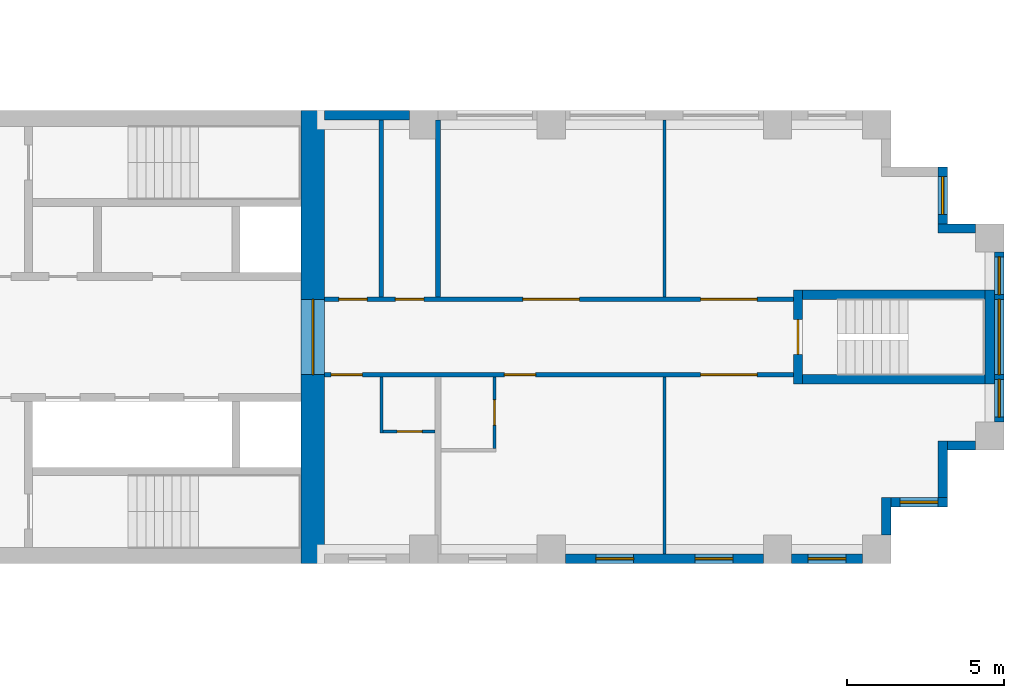
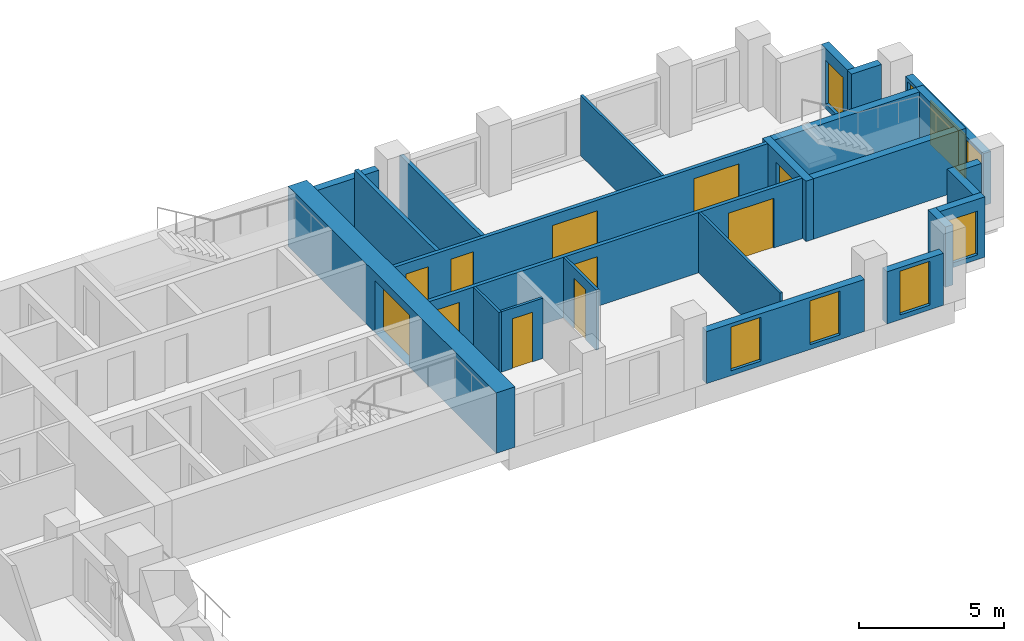
# One storey, part 10 of 13: 24 walls, 11 doors, 8 windows, 19 openings.
"""IFC4 building model written with IfcOpenShell, lengths in metres."""

from ifc_helpers import new_model, si_unit, direction, frame, frame_2d, origin, place, context, subcontext, project, spatial, rectangle, extrude, material, layer, layer_set, type_object, element, fill, save


model = new_model("IFC4")

# Units and contexts
model_context = context("Model", 3, precision=1e-05, world=origin(), true_north=direction((0.0, 1.0)))
body_context = subcontext(model_context, "Body", "Model", "MODEL_VIEW")
ifc_project = project(units=[si_unit("LENGTHUNIT", "METRE"), si_unit("AREAUNIT", "SQUARE_METRE"), si_unit("VOLUMEUNIT", "CUBIC_METRE"), si_unit("PLANEANGLEUNIT", "RADIAN"), si_unit("MASSUNIT", "GRAM", prefix="KILO")], contexts=[model_context])

# Site, building, storey
site_placement = place(None, origin())
site = spatial("IfcSite", under=ifc_project, at=site_placement, CompositionType="ELEMENT")
building_placement = place(site_placement, origin())
building = spatial("IfcBuilding", under=site, at=building_placement, Name="Fustian Cross Tower", CompositionType="ELEMENT")
storey_placement = place(building_placement, frame((0.0, 0.0, 108.89990234375)))
storey = spatial("IfcBuildingStorey", under=building, at=storey_placement, Name="L34", CompositionType="ELEMENT", Elevation=108.89990234375)

# Wall, openings, doors
ifc_material_1 = material(Name="Plasterboard on steel stud", Category="steel")
ifc_layer_1 = layer(ifc_material_1, 0.14990234375)
ifc_layer_set_1 = layer_set([ifc_layer_1], Name="Plasterboard on steel stud")
wall_type_1 = type_object("IfcWallType", Name="COMPARTMENT WALL 150 EI 60", PredefinedType="PARTITIONING", material=ifc_layer_set_1)
wall_1_placement = place(storey_placement, frame((21.60009765625, -1.199951171875, 0.0), z_axis=(0.0, 0.0, 1.0), x_axis=(1.0, 0.0, 0.0)))
wall_1 = element("IfcWall", 1, at=wall_1_placement, inside=storey, type_object=wall_type_1, Name="Partition 70", PredefinedType="PARTITIONING", context=body_context, shape_type="SweptSolid", body=[
    extrude(rectangle(XDim=14.89990234375, YDim=0.14990234375, at=frame_2d((7.449951171875, 0.0))), origin(), (0.0, 0.0, 1.0), 2.550048828125),
])
opening_1_placement = place(wall_1_placement, frame((0.199951171875, 0.0, 0.0)))
opening_1 = element("IfcOpeningElement", 2, at=opening_1_placement, cuts=wall_1, Name="Opening D15016", PredefinedType="OPENING", context=body_context, shape_type="SweptSolid", body=[
    extrude(rectangle(XDim=1.0, YDim=2.10009765625, at=frame_2d((0.5, 1.050048828125))), frame((0.0, 0.0849609375, 0.0), z_axis=(0.0, -1.0, 0.0), x_axis=(1.0, 0.0, 0.0)), (0.0, 0.0, 1.0), 0.169921875),
])
opening_2_placement = place(wall_1_placement, frame((5.7099609375, 0.0, 0.0)))
opening_2 = element("IfcOpeningElement", 3, at=opening_2_placement, cuts=wall_1, Name="Opening D15018", PredefinedType="OPENING", context=body_context, shape_type="SweptSolid", body=[
    extrude(rectangle(XDim=1.0, YDim=2.10009765625, at=frame_2d((0.5, 1.050048828125))), frame((0.0, 0.0849609375, 0.0), z_axis=(0.0, -1.0, 0.0), x_axis=(1.0, 0.0, 0.0)), (0.0, 0.0, 1.0), 0.169921875),
])
opening_3_placement = place(wall_1_placement, frame((11.949951171875, 0.0, 0.0)))
opening_3 = element("IfcOpeningElement", 4, at=opening_3_placement, cuts=wall_1, Name="Opening D15019", PredefinedType="OPENING", context=body_context, shape_type="SweptSolid", body=[
    extrude(rectangle(XDim=1.800048828125, YDim=2.10009765625, at=frame_2d((0.89990234375, 1.050048828125))), frame((0.0, 0.0849609375, 0.0), z_axis=(0.0, -1.0, 0.0), x_axis=(1.0, 0.0, 0.0)), (0.0, 0.0, 1.0), 0.169921875),
])
ifc_material_2 = material(Name="Timber fire door set", Category="wood")
door_type_1 = type_object("IfcDoorType", Name="FIRE DOUBLE DOOR 1800 FD30S", OperationType="DOUBLE_DOOR_DOUBLE_SWING", PredefinedType="DOOR", material=ifc_material_2)
door_1_placement = place(opening_3_placement, origin())
door_1 = element("IfcDoor", 5, at=door_1_placement, inside=storey, type_object=door_type_1, Name="Door D15019", OperationType="DOUBLE_DOOR_DOUBLE_SWING", OverallHeight=2.10009765625, OverallWidth=1.800048828125, PredefinedType="DOOR", context=body_context, shape_type="SweptSolid", body=[
    extrude(rectangle(XDim=1.800048828125, YDim=2.10009765625, at=frame_2d((0.89990234375, 1.050048828125))), frame((0.0, 0.02490234375, 0.0), z_axis=(0.0, -1.0, 0.0), x_axis=(1.0, 0.0, 0.0)), (0.0, 0.0, 1.0), 0.050048828125),
])
fill(opening_3, door_1)
ifc_material_3 = material(Name="Timber fire door set", Category="wood")
door_type_2 = type_object("IfcDoorType", Name="FIRE SWING DOOR 1000 FD30S", OperationType="SINGLE_SWING_LEFT", PredefinedType="DOOR", material=ifc_material_3)
door_2_placement = place(opening_1_placement, frame((1.0, 0.0, 0.0), z_axis=(0.0, 0.0, 1.0), x_axis=(-1.0, 0.0, 0.0)))
door_2 = element("IfcDoor", 6, at=door_2_placement, inside=storey, type_object=door_type_2, Name="Door D15016", OperationType="SINGLE_SWING_RIGHT", OverallHeight=2.10009765625, OverallWidth=1.0, PredefinedType="DOOR", context=body_context, shape_type="SweptSolid", body=[
    extrude(rectangle(XDim=1.0, YDim=2.10009765625, at=frame_2d((0.5, 1.050048828125))), frame((0.0, 0.02490234375, 0.0), z_axis=(0.0, -1.0, 0.0), x_axis=(1.0, 0.0, 0.0)), (0.0, 0.0, 1.0), 0.050048828125),
])
fill(opening_1, door_2)
door_3_placement = place(opening_2_placement, frame((1.0, 0.0, 0.0), z_axis=(0.0, 0.0, 1.0), x_axis=(-1.0, 0.0, 0.0)))
door_3 = element("IfcDoor", 7, at=door_3_placement, inside=storey, type_object=door_type_2, Name="Door D15018", OperationType="SINGLE_SWING_RIGHT", OverallHeight=2.10009765625, OverallWidth=1.0, PredefinedType="DOOR", context=body_context, shape_type="SweptSolid", body=[
    extrude(rectangle(XDim=1.0, YDim=2.10009765625, at=frame_2d((0.5, 1.050048828125))), frame((0.0, 0.02490234375, 0.0), z_axis=(0.0, -1.0, 0.0), x_axis=(1.0, 0.0, 0.0)), (0.0, 0.0, 1.0), 0.050048828125),
])
fill(opening_2, door_3)

wall_2_placement = place(storey_placement, frame((21.60009765625, 1.199951171875, 0.0), z_axis=(0.0, 0.0, 1.0), x_axis=(1.0, 0.0, 0.0)))
wall_2 = element("IfcWall", 8, at=wall_2_placement, inside=storey, type_object=wall_type_1, Name="Partition 71", PredefinedType="PARTITIONING", context=body_context, shape_type="SweptSolid", body=[
    extrude(rectangle(XDim=14.89990234375, YDim=0.14990234375, at=frame_2d((7.449951171875, 0.0))), origin(), (0.0, 0.0, 1.0), 2.550048828125),
])
opening_4_placement = place(wall_2_placement, frame((0.449951171875, 0.0, 0.0)))
opening_4 = element("IfcOpeningElement", 9, at=opening_4_placement, cuts=wall_2, Name="Opening D15011", PredefinedType="OPENING", context=body_context, shape_type="SweptSolid", body=[
    extrude(rectangle(XDim=0.89990234375, YDim=2.10009765625, at=frame_2d((0.449951171875, 1.050048828125))), frame((0.0, 0.0849609375, 0.0), z_axis=(0.0, -1.0, 0.0), x_axis=(1.0, 0.0, 0.0)), (0.0, 0.0, 1.0), 0.169921875),
])
opening_5_placement = place(wall_2_placement, frame((2.25, 0.0, 0.0)))
opening_5 = element("IfcOpeningElement", 10, at=opening_5_placement, cuts=wall_2, Name="Opening D15012", PredefinedType="OPENING", context=body_context, shape_type="SweptSolid", body=[
    extrude(rectangle(XDim=0.89990234375, YDim=2.10009765625, at=frame_2d((0.449951171875, 1.050048828125))), frame((0.0, 0.0849609375, 0.0), z_axis=(0.0, -1.0, 0.0), x_axis=(1.0, 0.0, 0.0)), (0.0, 0.0, 1.0), 0.169921875),
])
opening_6_placement = place(wall_2_placement, frame((6.300048828125, 0.0, 0.0)))
opening_6 = element("IfcOpeningElement", 11, at=opening_6_placement, cuts=wall_2, Name="Opening D15013", PredefinedType="OPENING", context=body_context, shape_type="SweptSolid", body=[
    extrude(rectangle(XDim=1.800048828125, YDim=2.10009765625, at=frame_2d((0.89990234375, 1.050048828125))), frame((0.0, 0.0849609375, 0.0), z_axis=(0.0, -1.0, 0.0), x_axis=(1.0, 0.0, 0.0)), (0.0, 0.0, 1.0), 0.169921875),
])
opening_7_placement = place(wall_2_placement, frame((11.949951171875, 0.0, 0.0)))
opening_7 = element("IfcOpeningElement", 12, at=opening_7_placement, cuts=wall_2, Name="Opening D15014", PredefinedType="OPENING", context=body_context, shape_type="SweptSolid", body=[
    extrude(rectangle(XDim=1.800048828125, YDim=2.10009765625, at=frame_2d((0.89990234375, 1.050048828125))), frame((0.0, 0.0849609375, 0.0), z_axis=(0.0, -1.0, 0.0), x_axis=(1.0, 0.0, 0.0)), (0.0, 0.0, 1.0), 0.169921875),
])
door_4_placement = place(opening_6_placement, frame((1.800048828125, 0.0, 0.0), z_axis=(0.0, 0.0, 1.0), x_axis=(-1.0, 0.0, 0.0)))
door_4 = element("IfcDoor", 13, at=door_4_placement, inside=storey, type_object=door_type_1, Name="Door D15013", OperationType="DOUBLE_DOOR_DOUBLE_SWING", OverallHeight=2.10009765625, OverallWidth=1.800048828125, PredefinedType="DOOR", context=body_context, shape_type="SweptSolid", body=[
    extrude(rectangle(XDim=1.800048828125, YDim=2.10009765625, at=frame_2d((0.89990234375, 1.050048828125))), frame((0.0, 0.02490234375, 0.0), z_axis=(0.0, -1.0, 0.0), x_axis=(1.0, 0.0, 0.0)), (0.0, 0.0, 1.0), 0.050048828125),
])
fill(opening_6, door_4)
door_5_placement = place(opening_7_placement, frame((1.800048828125, 0.0, 0.0), z_axis=(0.0, 0.0, 1.0), x_axis=(-1.0, 0.0, 0.0)))
door_5 = element("IfcDoor", 14, at=door_5_placement, inside=storey, type_object=door_type_1, Name="Door D15014", OperationType="DOUBLE_DOOR_DOUBLE_SWING", OverallHeight=2.10009765625, OverallWidth=1.800048828125, PredefinedType="DOOR", context=body_context, shape_type="SweptSolid", body=[
    extrude(rectangle(XDim=1.800048828125, YDim=2.10009765625, at=frame_2d((0.89990234375, 1.050048828125))), frame((0.0, 0.02490234375, 0.0), z_axis=(0.0, -1.0, 0.0), x_axis=(1.0, 0.0, 0.0)), (0.0, 0.0, 1.0), 0.050048828125),
])
fill(opening_7, door_5)
ifc_material_4 = material(Name="Timber fire door set", Category="wood")
door_type_3 = type_object("IfcDoorType", Name="FIRE SWING DOOR 900 FD30S", OperationType="SINGLE_SWING_LEFT", PredefinedType="DOOR", material=ifc_material_4)
door_6_placement = place(opening_4_placement, origin())
door_6 = element("IfcDoor", 15, at=door_6_placement, inside=storey, type_object=door_type_3, Name="Door D15011", OperationType="SINGLE_SWING_RIGHT", OverallHeight=2.10009765625, OverallWidth=0.89990234375, PredefinedType="DOOR", context=body_context, shape_type="SweptSolid", body=[
    extrude(rectangle(XDim=0.89990234375, YDim=2.10009765625, at=frame_2d((0.449951171875, 1.050048828125))), frame((0.0, 0.02490234375, 0.0), z_axis=(0.0, -1.0, 0.0), x_axis=(1.0, 0.0, 0.0)), (0.0, 0.0, 1.0), 0.050048828125),
])
fill(opening_4, door_6)
door_7_placement = place(opening_5_placement, origin())
door_7 = element("IfcDoor", 16, at=door_7_placement, inside=storey, type_object=door_type_3, Name="Door D15012", OperationType="SINGLE_SWING_RIGHT", OverallHeight=2.10009765625, OverallWidth=0.89990234375, PredefinedType="DOOR", context=body_context, shape_type="SweptSolid", body=[
    extrude(rectangle(XDim=0.89990234375, YDim=2.10009765625, at=frame_2d((0.449951171875, 1.050048828125))), frame((0.0, 0.02490234375, 0.0), z_axis=(0.0, -1.0, 0.0), x_axis=(1.0, 0.0, 0.0)), (0.0, 0.0, 1.0), 0.050048828125),
])
fill(opening_5, door_7)

# Walls
for number, where, z_axis, x_axis, name in (
    (17, (23.39990234375, 1.27490234375, 0.0), (0.0, 0.0, 1.0), (0.0, 1.0, 0.0), "Partition 74"),
    (18, (25.199951171875, 1.27490234375, 0.0), (0.0, 0.0, 1.0), (0.0, 1.0, 0.0), "Partition 77"),
):
    element("IfcWall", number, at=place(storey_placement, frame(where, z_axis=z_axis, x_axis=x_axis)), inside=storey, type_object=wall_type_1, Name=name, PredefinedType="PARTITIONING", context=body_context, shape_type="SweptSolid", body=[
        extrude(rectangle(XDim=5.625, YDim=0.14990234375, at=frame_2d((2.8125, 0.0))), origin(), (0.0, 0.0, 1.0), 2.550048828125),
    ])

# Wall, opening, door
ifc_material_5 = material(Name="Concrete C70/85", Category="concrete")
ifc_layer_2 = layer(ifc_material_5, 0.75)
ifc_layer_set_2 = layer_set([ifc_layer_2], Name="Concrete C70/85")
wall_type_2 = type_object("IfcWallType", Name="CORE END WALL 750 C70/85", PredefinedType="SHEAR", material=ifc_layer_set_2)
wall_3_placement = place(storey_placement, frame((21.22509765625, -7.199951171875, 0.0), z_axis=(0.0, 0.0, 1.0), x_axis=(0.0, 1.0, 0.0)))
wall_3 = element("IfcWall", 19, at=wall_3_placement, inside=storey, type_object=wall_type_2, Name="Core end wall", PredefinedType="SHEAR", context=body_context, shape_type="SweptSolid", body=[
    extrude(rectangle(XDim=14.39990234375, YDim=0.75, at=frame_2d((7.199951171875, 0.0))), origin(), (0.0, 0.0, 1.0), 2.550048828125),
])
opening_8_placement = place(wall_3_placement, frame((6.0, 0.0, 0.0)))
opening_8 = element("IfcOpeningElement", 20, at=opening_8_placement, cuts=wall_3, Name="Opening CD-12-13", PredefinedType="OPENING", context=body_context, shape_type="SweptSolid", body=[
    extrude(rectangle(XDim=2.39990234375, YDim=2.199951171875, at=frame_2d((1.199951171875, 1.10009765625))), frame((0.0, 0.385009765625, 0.0), z_axis=(0.0, -1.0, 0.0), x_axis=(1.0, 0.0, 0.0)), (0.0, 0.0, 1.0), 0.77001953125),
])
ifc_material_6 = material(Name="Steel", Category="steel")
door_type_4 = type_object("IfcDoorType", Name="FIRE DOOR FD30S DOUBLE 2400X2200", OperationType="DOUBLE_DOOR_DOUBLE_SWING", PredefinedType="DOOR", material=ifc_material_6)
door_8_placement = place(opening_8_placement, origin())
door_8 = element("IfcDoor", 21, at=door_8_placement, inside=storey, type_object=door_type_4, Name="Core door CD-12-13", OperationType="DOUBLE_DOOR_DOUBLE_SWING", OverallHeight=2.199951171875, OverallWidth=2.39990234375, PredefinedType="DOOR", context=body_context, shape_type="SweptSolid", body=[
    extrude(rectangle(XDim=2.39990234375, YDim=2.199951171875, at=frame_2d((1.199951171875, 1.10009765625))), frame((0.0, 0.02490234375, 0.0), z_axis=(0.0, -1.0, 0.0), x_axis=(1.0, 0.0, 0.0)), (0.0, 0.0, 1.0), 0.050048828125),
])
fill(opening_8, door_8)

# Wall
ifc_material_7 = material(Name="Plasterboard on steel stud", Category="steel")
ifc_layer_3 = layer(ifc_material_7, 0.10009765625)
ifc_layer_set_3 = layer_set([ifc_layer_3], Name="Plasterboard on steel stud")
wall_type_3 = type_object("IfcWallType", Name="PARTITION 100 STUD", PredefinedType="PARTITIONING", material=ifc_layer_set_3)
wall_4_placement = place(storey_placement, frame((23.39990234375, -3.050048828125, 0.0), z_axis=(0.0, 0.0, 1.0), x_axis=(0.0, 1.0, 0.0)))
element("IfcWall", 22, at=wall_4_placement, inside=storey, type_object=wall_type_3, Name="Partition 72", PredefinedType="PARTITIONING", context=body_context, shape_type="SweptSolid", body=[
    extrude(rectangle(XDim=1.775146484375, YDim=0.10009765625, at=frame_2d((0.8876953125, 0.0))), origin(), (0.0, 0.0, 1.0), 2.550048828125),
])

# Wall, opening, door
wall_5_placement = place(storey_placement, frame((23.449951171875, -3.0, 0.0), z_axis=(0.0, 0.0, 1.0), x_axis=(1.0, 0.0, 0.0)))
wall_5 = element("IfcWall", 23, at=wall_5_placement, inside=storey, type_object=wall_type_3, Name="Partition 73", PredefinedType="PARTITIONING", context=body_context, shape_type="SweptSolid", body=[
    extrude(rectangle(XDim=1.650146484375, YDim=0.10009765625, at=frame_2d((0.8251953125, 0.0))), origin(), (0.0, 0.0, 1.0), 2.550048828125),
])
opening_9_placement = place(wall_5_placement, frame((0.449951171875, 0.0, 0.0)))
opening_9 = element("IfcOpeningElement", 24, at=opening_9_placement, cuts=wall_5, Name="Opening D15015", PredefinedType="OPENING", context=body_context, shape_type="SweptSolid", body=[
    extrude(rectangle(XDim=0.800048828125, YDim=2.10009765625, at=frame_2d((0.39990234375, 1.050048828125))), frame((0.0, 0.06005859375, 0.0), z_axis=(0.0, -1.0, 0.0), x_axis=(1.0, 0.0, 0.0)), (0.0, 0.0, 1.0), 0.1201171875),
])
ifc_material_8 = material(Name="Painted timber", Category="wood")
door_type_5 = type_object("IfcDoorType", Name="SWING DOOR 800", OperationType="SINGLE_SWING_LEFT", PredefinedType="DOOR", material=ifc_material_8)
door_9_placement = place(opening_9_placement, origin())
door_9 = element("IfcDoor", 25, at=door_9_placement, inside=storey, type_object=door_type_5, Name="Door D15015", OperationType="SINGLE_SWING_RIGHT", OverallHeight=2.10009765625, OverallWidth=0.800048828125, PredefinedType="DOOR", context=body_context, shape_type="SweptSolid", body=[
    extrude(rectangle(XDim=0.800048828125, YDim=2.10009765625, at=frame_2d((0.39990234375, 1.050048828125))), frame((0.0, 0.02490234375, 0.0), z_axis=(0.0, -1.0, 0.0), x_axis=(1.0, 0.0, 0.0)), (0.0, 0.0, 1.0), 0.050048828125),
])
fill(opening_9, door_9)

wall_6_placement = place(storey_placement, frame((27.0, -3.550048828125, 0.0), z_axis=(0.0, 0.0, 1.0), x_axis=(0.0, 1.0, 0.0)))
wall_6 = element("IfcWall", 26, at=wall_6_placement, inside=storey, type_object=wall_type_3, Name="Partition 78", PredefinedType="PARTITIONING", context=body_context, shape_type="SweptSolid", body=[
    extrude(rectangle(XDim=2.275146484375, YDim=0.10009765625, at=frame_2d((1.1376953125, 0.0))), origin(), (0.0, 0.0, 1.0), 2.550048828125),
])
opening_10_placement = place(wall_6_placement, frame((0.75, 0.0, 0.0)))
opening_10 = element("IfcOpeningElement", 27, at=opening_10_placement, cuts=wall_6, Name="Opening D15017", PredefinedType="OPENING", context=body_context, shape_type="SweptSolid", body=[
    extrude(rectangle(XDim=0.800048828125, YDim=2.10009765625, at=frame_2d((0.39990234375, 1.050048828125))), frame((0.0, 0.06005859375, 0.0), z_axis=(0.0, -1.0, 0.0), x_axis=(1.0, 0.0, 0.0)), (0.0, 0.0, 1.0), 0.1201171875),
])
door_10_placement = place(opening_10_placement, origin())
door_10 = element("IfcDoor", 28, at=door_10_placement, inside=storey, type_object=door_type_5, Name="Door D15017", OperationType="SINGLE_SWING_LEFT", OverallHeight=2.10009765625, OverallWidth=0.800048828125, PredefinedType="DOOR", context=body_context, shape_type="SweptSolid", body=[
    extrude(rectangle(XDim=0.800048828125, YDim=2.10009765625, at=frame_2d((0.39990234375, 1.050048828125))), frame((0.0, 0.02490234375, 0.0), z_axis=(0.0, -1.0, 0.0), x_axis=(1.0, 0.0, 0.0)), (0.0, 0.0, 1.0), 0.050048828125),
])
fill(opening_10, door_10)

# Walls
for number, where, z_axis, x_axis, name in (
    (29, (32.39990234375, -6.89990234375, 0.0), (0.0, 0.0, 1.0), (0.0, 1.0, 0.0), "Partition 79"),
    (30, (32.39990234375, 1.27490234375, 0.0), (0.0, 0.0, 1.0), (0.0, 1.0, 0.0), "Partition 80"),
):
    element("IfcWall", number, at=place(storey_placement, frame(where, z_axis=z_axis, x_axis=x_axis)), inside=storey, type_object=wall_type_3, Name=name, PredefinedType="PARTITIONING", context=body_context, shape_type="SweptSolid", body=[
        extrude(rectangle(XDim=5.625, YDim=0.10009765625, at=frame_2d((2.8125, 0.0))), origin(), (0.0, 0.0, 1.0), 2.550048828125),
    ])

# Wall, opening, door
ifc_material_9 = material(Name="Concrete C50/60", Category="concrete")
ifc_layer_4 = layer(ifc_material_9, 0.300048828125)
ifc_layer_set_4 = layer_set([ifc_layer_4], Name="Concrete C50/60")
wall_type_4 = type_object("IfcWallType", Name="STAIR ENCLOSURE WALL 300 C50/60", PredefinedType="SHEAR", material=ifc_layer_set_4)
wall_7_placement = place(storey_placement, frame((36.64990234375, -1.5, 0.0), z_axis=(0.0, 0.0, 1.0), x_axis=(0.0, 1.0, 0.0)))
wall_7 = element("IfcWall", 31, at=wall_7_placement, inside=storey, type_object=wall_type_4, Name="Stair enclosure wall", PredefinedType="SHEAR", context=body_context, shape_type="SweptSolid", body=[
    extrude(rectangle(XDim=3.0, YDim=0.300048828125, at=frame_2d((1.5, 0.0))), origin(), (0.0, 0.0, 1.0), 2.550048828125),
])
opening_11_placement = place(wall_7_placement, frame((0.949951171875, 0.0, 0.0)))
opening_11 = element("IfcOpeningElement", 32, at=opening_11_placement, cuts=wall_7, Name="Opening CD-12-32", PredefinedType="OPENING", context=body_context, shape_type="SweptSolid", body=[
    extrude(rectangle(XDim=1.10009765625, YDim=2.10009765625, at=frame_2d((0.550048828125, 1.050048828125))), frame((0.0, 0.159912109375, 0.0), z_axis=(0.0, -1.0, 0.0), x_axis=(1.0, 0.0, 0.0)), (0.0, 0.0, 1.0), 0.320068359375),
])
ifc_material_10 = material(Name="Steel", Category="steel")
door_type_6 = type_object("IfcDoorType", Name="FIRE DOOR FD60S 1100X2100", OperationType="SINGLE_SWING_LEFT", PredefinedType="DOOR", material=ifc_material_10)
door_11_placement = place(opening_11_placement, frame((1.10009765625, 0.0, 0.0), z_axis=(0.0, 0.0, 1.0), x_axis=(-1.0, 0.0, 0.0)))
door_11 = element("IfcDoor", 33, at=door_11_placement, inside=storey, type_object=door_type_6, Name="Core door CD-12-32", OperationType="SINGLE_SWING_RIGHT", OverallHeight=2.10009765625, OverallWidth=1.10009765625, PredefinedType="DOOR", context=body_context, shape_type="SweptSolid", body=[
    extrude(rectangle(XDim=1.10009765625, YDim=2.10009765625, at=frame_2d((0.550048828125, 1.050048828125))), frame((0.0, 0.02490234375, 0.0), z_axis=(0.0, -1.0, 0.0), x_axis=(1.0, 0.0, 0.0)), (0.0, 0.0, 1.0), 0.050048828125),
])
fill(opening_11, door_11)

# Walls
wall_8_placement = place(storey_placement, frame((42.75, -1.5, 0.0), z_axis=(0.0, 0.0, 1.0), x_axis=(0.0, 1.0, 0.0)))
element("IfcWall", 34, at=wall_8_placement, inside=storey, type_object=wall_type_4, Name="Stair enclosure wall", PredefinedType="SHEAR", context=body_context, shape_type="SweptSolid", body=[
    extrude(rectangle(XDim=3.0, YDim=0.300048828125, at=frame_2d((1.5, 0.0))), origin(), (0.0, 0.0, 1.0), 2.550048828125),
])
for number, where, z_axis, x_axis, name in (
    (35, (36.800048828125, -1.35009765625, 0.0), (0.0, 0.0, 1.0), (1.0, 0.0, 0.0), "Stair enclosure wall"),
    (36, (36.800048828125, 1.35009765625, 0.0), (0.0, 0.0, 1.0), (1.0, 0.0, 0.0), "Stair enclosure wall"),
):
    element("IfcWall", number, at=place(storey_placement, frame(where, z_axis=z_axis, x_axis=x_axis)), inside=storey, type_object=wall_type_4, Name=name, PredefinedType="SHEAR", context=body_context, shape_type="SweptSolid", body=[
        extrude(rectangle(XDim=5.800048828125, YDim=0.300048828125, at=frame_2d((2.89990234375, 0.0))), origin(), (0.0, 0.0, 1.0), 2.550048828125),
    ])

# Wall, openings, windows
ifc_material_11 = material(Name="Dark aluminium cladding on insulated backing wall", Category="aluminium")
ifc_layer_5 = layer(ifc_material_11, 0.300048828125)
ifc_layer_set_5 = layer_set([ifc_layer_5], Name="Dark aluminium cladding on insulated backing wall")
wall_type_5 = type_object("IfcWallType", Name="XW1 EXTERNAL WALL 300", PredefinedType="SOLIDWALL", material=ifc_layer_set_5)
wall_9_placement = place(storey_placement, frame((29.25, -7.050048828125, 0.0), z_axis=(0.0, 0.0, 1.0), x_axis=(1.0, 0.0, 0.0)))
wall_9 = element("IfcWall", 37, at=wall_9_placement, inside=storey, type_object=wall_type_5, Name="External wall", PredefinedType="SOLIDWALL", context=body_context, shape_type="SweptSolid", body=[
    extrude(rectangle(XDim=6.300048828125, YDim=0.300048828125, at=frame_2d((3.14990234375, 0.0))), origin(), (0.0, 0.0, 1.0), 2.2001953125),
])
opening_12_placement = place(wall_9_placement, frame((0.97509765625, 0.0, 0.199951171875)))
opening_12 = element("IfcOpeningElement", 38, at=opening_12_placement, cuts=wall_9, Name="Opening WN3", PredefinedType="OPENING", context=body_context, shape_type="SweptSolid", body=[
    extrude(rectangle(XDim=1.199951171875, YDim=1.85009765625, at=frame_2d((0.60009765625, 0.925048828125))), frame((0.0, 0.159912109375, 0.0), z_axis=(0.0, -1.0, 0.0), x_axis=(1.0, 0.0, 0.0)), (0.0, 0.0, 1.0), 0.320068359375),
])
opening_13_placement = place(wall_9_placement, frame((4.125, 0.0, 0.199951171875)))
opening_13 = element("IfcOpeningElement", 39, at=opening_13_placement, cuts=wall_9, Name="Opening WN3", PredefinedType="OPENING", context=body_context, shape_type="SweptSolid", body=[
    extrude(rectangle(XDim=1.199951171875, YDim=1.85009765625, at=frame_2d((0.60009765625, 0.925048828125))), frame((0.0, 0.159912109375, 0.0), z_axis=(0.0, -1.0, 0.0), x_axis=(1.0, 0.0, 0.0)), (0.0, 0.0, 1.0), 0.320068359375),
])
ifc_material_12 = material(Name="Dark anodised aluminium and double glazing", Category="aluminium")
window_type_1 = type_object("IfcWindowType", Name="WN3 WINDOW 1200X1850", PartitioningType="SINGLE_PANEL", PredefinedType="WINDOW", material=ifc_material_12)
window_1_placement = place(opening_12_placement, origin())
window_1 = element("IfcWindow", 40, at=window_1_placement, inside=storey, type_object=window_type_1, Name="Window", OverallHeight=1.85009765625, OverallWidth=1.199951171875, PartitioningType="SINGLE_PANEL", PredefinedType="WINDOW", context=body_context, shape_type="SweptSolid", body=[
    extrude(rectangle(XDim=1.199951171875, YDim=1.85009765625, at=frame_2d((0.60009765625, 0.925048828125))), frame((0.0, 0.030029296875, 0.0), z_axis=(0.0, -1.0, 0.0), x_axis=(1.0, 0.0, 0.0)), (0.0, 0.0, 1.0), 0.06005859375),
])
fill(opening_12, window_1)
window_2_placement = place(opening_13_placement, origin())
window_2 = element("IfcWindow", 41, at=window_2_placement, inside=storey, type_object=window_type_1, Name="Window", OverallHeight=1.85009765625, OverallWidth=1.199951171875, PartitioningType="SINGLE_PANEL", PredefinedType="WINDOW", context=body_context, shape_type="SweptSolid", body=[
    extrude(rectangle(XDim=1.199951171875, YDim=1.85009765625, at=frame_2d((0.60009765625, 0.925048828125))), frame((0.0, 0.030029296875, 0.0), z_axis=(0.0, -1.0, 0.0), x_axis=(1.0, 0.0, 0.0)), (0.0, 0.0, 1.0), 0.06005859375),
])
fill(opening_13, window_2)

# Wall, opening, window
wall_10_placement = place(storey_placement, frame((36.449951171875, -7.050048828125, 0.0), z_axis=(0.0, 0.0, 1.0), x_axis=(1.0, 0.0, 0.0)))
wall_10 = element("IfcWall", 42, at=wall_10_placement, inside=storey, type_object=wall_type_5, Name="External wall", PredefinedType="SOLIDWALL", context=body_context, shape_type="SweptSolid", body=[
    extrude(rectangle(XDim=2.25, YDim=0.300048828125, at=frame_2d((1.125, 0.0))), origin(), (0.0, 0.0, 1.0), 2.2001953125),
])
opening_14_placement = place(wall_10_placement, frame((0.52490234375, 0.0, 0.199951171875)))
opening_14 = element("IfcOpeningElement", 43, at=opening_14_placement, cuts=wall_10, Name="Opening WN3", PredefinedType="OPENING", context=body_context, shape_type="SweptSolid", body=[
    extrude(rectangle(XDim=1.199951171875, YDim=1.85009765625, at=frame_2d((0.60009765625, 0.925048828125))), frame((0.0, 0.159912109375, 0.0), z_axis=(0.0, -1.0, 0.0), x_axis=(1.0, 0.0, 0.0)), (0.0, 0.0, 1.0), 0.320068359375),
])
window_3_placement = place(opening_14_placement, origin())
window_3 = element("IfcWindow", 44, at=window_3_placement, inside=storey, type_object=window_type_1, Name="Window", OverallHeight=1.85009765625, OverallWidth=1.199951171875, PartitioningType="SINGLE_PANEL", PredefinedType="WINDOW", context=body_context, shape_type="SweptSolid", body=[
    extrude(rectangle(XDim=1.199951171875, YDim=1.85009765625, at=frame_2d((0.60009765625, 0.925048828125))), frame((0.0, 0.030029296875, 0.0), z_axis=(0.0, -1.0, 0.0), x_axis=(1.0, 0.0, 0.0)), (0.0, 0.0, 1.0), 0.06005859375),
])
fill(opening_14, window_3)

# Wall
wall_11_placement = place(storey_placement, frame((39.449951171875, -6.300048828125, 0.0), z_axis=(0.0, 0.0, 1.0), x_axis=(0.0, 1.0, 0.0)))
element("IfcWall", 45, at=wall_11_placement, inside=storey, type_object=wall_type_5, Name="External wall", PredefinedType="SOLIDWALL", context=body_context, shape_type="SweptSolid", body=[
    extrude(rectangle(XDim=1.199951171875, YDim=0.300048828125, at=frame_2d((0.60009765625, 0.0))), origin(), (0.0, 0.0, 1.0), 2.550048828125),
])

# Wall, opening, window
wall_12_placement = place(storey_placement, frame((39.60009765625, -5.25, 0.0), z_axis=(0.0, 0.0, 1.0), x_axis=(1.0, 0.0, 0.0)))
wall_12 = element("IfcWall", 46, at=wall_12_placement, inside=storey, type_object=wall_type_5, Name="External wall", PredefinedType="SOLIDWALL", context=body_context, shape_type="SweptSolid", body=[
    extrude(rectangle(XDim=1.7998046875, YDim=0.300048828125, at=frame_2d((0.89990234375, 0.0))), origin(), (0.0, 0.0, 1.0), 2.550048828125),
])
opening_15_placement = place(wall_12_placement, frame((0.300048828125, 0.0, 0.199951171875)))
opening_15 = element("IfcOpeningElement", 47, at=opening_15_placement, cuts=wall_12, Name="Opening WN3", PredefinedType="OPENING", context=body_context, shape_type="SweptSolid", body=[
    extrude(rectangle(XDim=1.199951171875, YDim=1.85009765625, at=frame_2d((0.60009765625, 0.925048828125))), frame((0.0, 0.159912109375, 0.0), z_axis=(0.0, -1.0, 0.0), x_axis=(1.0, 0.0, 0.0)), (0.0, 0.0, 1.0), 0.320068359375),
])
window_4_placement = place(opening_15_placement, origin())
window_4 = element("IfcWindow", 48, at=window_4_placement, inside=storey, type_object=window_type_1, Name="Window", OverallHeight=1.85009765625, OverallWidth=1.199951171875, PartitioningType="SINGLE_PANEL", PredefinedType="WINDOW", context=body_context, shape_type="SweptSolid", body=[
    extrude(rectangle(XDim=1.199951171875, YDim=1.85009765625, at=frame_2d((0.60009765625, 0.925048828125))), frame((0.0, 0.030029296875, 0.0), z_axis=(0.0, -1.0, 0.0), x_axis=(1.0, 0.0, 0.0)), (0.0, 0.0, 1.0), 0.06005859375),
])
fill(opening_15, window_4)

# Walls
wall_13_placement = place(storey_placement, frame((41.25, -5.10009765625, 0.0), z_axis=(0.0, 0.0, 1.0), x_axis=(0.0, 1.0, 0.0)))
element("IfcWall", 49, at=wall_13_placement, inside=storey, type_object=wall_type_5, Name="External wall", PredefinedType="SOLIDWALL", context=body_context, shape_type="SweptSolid", body=[
    extrude(rectangle(XDim=1.800048828125, YDim=0.300048828125, at=frame_2d((0.89990234375, 0.0))), origin(), (0.0, 0.0, 1.0), 2.550048828125),
])
wall_14_placement = place(storey_placement, frame((41.39990234375, -3.449951171875, 0.0), z_axis=(0.0, 0.0, 1.0), x_axis=(1.0, 0.0, 0.0)))
element("IfcWall", 50, at=wall_14_placement, inside=storey, type_object=wall_type_5, Name="External wall", PredefinedType="SOLIDWALL", context=body_context, shape_type="SweptSolid", body=[
    extrude(rectangle(XDim=0.900146484375, YDim=0.300048828125, at=frame_2d((0.4501953125, 0.0))), origin(), (0.0, 0.0, 1.0), 2.550048828125),
])

# Wall, openings, windows
wall_15_placement = place(storey_placement, frame((43.050048828125, -2.699951171875, 0.0), z_axis=(0.0, 0.0, 1.0), x_axis=(0.0, 1.0, 0.0)))
wall_15 = element("IfcWall", 51, at=wall_15_placement, inside=storey, type_object=wall_type_5, Name="External wall", PredefinedType="SOLIDWALL", context=body_context, shape_type="SweptSolid", body=[
    extrude(rectangle(XDim=5.39990234375, YDim=0.300048828125, at=frame_2d((2.699951171875, 0.0))), origin(), (0.0, 0.0, 1.0), 2.2001953125),
])
opening_16_placement = place(wall_15_placement, frame((1.5, 0.0, 0.199951171875)))
opening_16 = element("IfcOpeningElement", 52, at=opening_16_placement, cuts=wall_15, Name="Opening WN1", PredefinedType="OPENING", context=body_context, shape_type="SweptSolid", body=[
    extrude(rectangle(XDim=2.39990234375, YDim=1.85009765625, at=frame_2d((1.199951171875, 0.925048828125))), frame((0.0, 0.159912109375, 0.0), z_axis=(0.0, -1.0, 0.0), x_axis=(1.0, 0.0, 0.0)), (0.0, 0.0, 1.0), 0.320068359375),
])
opening_17_placement = place(wall_15_placement, frame((0.14990234375, 0.0, 0.199951171875)))
opening_17 = element("IfcOpeningElement", 53, at=opening_17_placement, cuts=wall_15, Name="Opening WN3", PredefinedType="OPENING", context=body_context, shape_type="SweptSolid", body=[
    extrude(rectangle(XDim=1.199951171875, YDim=1.85009765625, at=frame_2d((0.60009765625, 0.925048828125))), frame((0.0, 0.159912109375, 0.0), z_axis=(0.0, -1.0, 0.0), x_axis=(1.0, 0.0, 0.0)), (0.0, 0.0, 1.0), 0.320068359375),
])
opening_18_placement = place(wall_15_placement, frame((4.050048828125, 0.0, 0.199951171875)))
opening_18 = element("IfcOpeningElement", 54, at=opening_18_placement, cuts=wall_15, Name="Opening WN3", PredefinedType="OPENING", context=body_context, shape_type="SweptSolid", body=[
    extrude(rectangle(XDim=1.199951171875, YDim=1.85009765625, at=frame_2d((0.60009765625, 0.925048828125))), frame((0.0, 0.159912109375, 0.0), z_axis=(0.0, -1.0, 0.0), x_axis=(1.0, 0.0, 0.0)), (0.0, 0.0, 1.0), 0.320068359375),
])
ifc_material_13 = material(Name="Dark anodised aluminium and double glazing", Category="aluminium")
window_type_2 = type_object("IfcWindowType", Name="WN1 WINDOW 2400X1850", PartitioningType="SINGLE_PANEL", PredefinedType="WINDOW", material=ifc_material_13)
window_5_placement = place(opening_16_placement, origin())
window_5 = element("IfcWindow", 55, at=window_5_placement, inside=storey, type_object=window_type_2, Name="Window", OverallHeight=1.85009765625, OverallWidth=2.39990234375, PartitioningType="SINGLE_PANEL", PredefinedType="WINDOW", context=body_context, shape_type="SweptSolid", body=[
    extrude(rectangle(XDim=2.39990234375, YDim=1.85009765625, at=frame_2d((1.199951171875, 0.925048828125))), frame((0.0, 0.030029296875, 0.0), z_axis=(0.0, -1.0, 0.0), x_axis=(1.0, 0.0, 0.0)), (0.0, 0.0, 1.0), 0.06005859375),
])
fill(opening_16, window_5)
window_6_placement = place(opening_17_placement, origin())
window_6 = element("IfcWindow", 56, at=window_6_placement, inside=storey, type_object=window_type_1, Name="Window", OverallHeight=1.85009765625, OverallWidth=1.199951171875, PartitioningType="SINGLE_PANEL", PredefinedType="WINDOW", context=body_context, shape_type="SweptSolid", body=[
    extrude(rectangle(XDim=1.199951171875, YDim=1.85009765625, at=frame_2d((0.60009765625, 0.925048828125))), frame((0.0, 0.030029296875, 0.0), z_axis=(0.0, -1.0, 0.0), x_axis=(1.0, 0.0, 0.0)), (0.0, 0.0, 1.0), 0.06005859375),
])
fill(opening_17, window_6)
window_7_placement = place(opening_18_placement, origin())
window_7 = element("IfcWindow", 57, at=window_7_placement, inside=storey, type_object=window_type_1, Name="Window", OverallHeight=1.85009765625, OverallWidth=1.199951171875, PartitioningType="SINGLE_PANEL", PredefinedType="WINDOW", context=body_context, shape_type="SweptSolid", body=[
    extrude(rectangle(XDim=1.199951171875, YDim=1.85009765625, at=frame_2d((0.60009765625, 0.925048828125))), frame((0.0, 0.030029296875, 0.0), z_axis=(0.0, -1.0, 0.0), x_axis=(1.0, 0.0, 0.0)), (0.0, 0.0, 1.0), 0.06005859375),
])
fill(opening_18, window_7)

# Wall
wall_16_placement = place(storey_placement, frame((42.300048828125, 3.449951171875, 0.0), z_axis=(0.0, 0.0, 1.0), x_axis=(-1.0, 0.0, 0.0)))
element("IfcWall", 58, at=wall_16_placement, inside=storey, type_object=wall_type_5, Name="External wall", PredefinedType="SOLIDWALL", context=body_context, shape_type="SweptSolid", body=[
    extrude(rectangle(XDim=1.199951171875, YDim=0.300048828125, at=frame_2d((0.60009765625, 0.0))), origin(), (0.0, 0.0, 1.0), 2.550048828125),
])

# Wall, opening, window
wall_17_placement = place(storey_placement, frame((41.25, 3.60009765625, 0.0), z_axis=(0.0, 0.0, 1.0), x_axis=(0.0, 1.0, 0.0)))
wall_17 = element("IfcWall", 59, at=wall_17_placement, inside=storey, type_object=wall_type_5, Name="External wall", PredefinedType="SOLIDWALL", context=body_context, shape_type="SweptSolid", body=[
    extrude(rectangle(XDim=1.7998046875, YDim=0.300048828125, at=frame_2d((0.89990234375, 0.0))), origin(), (0.0, 0.0, 1.0), 2.550048828125),
])
opening_19_placement = place(wall_17_placement, frame((0.300048828125, 0.0, 0.199951171875)))
opening_19 = element("IfcOpeningElement", 60, at=opening_19_placement, cuts=wall_17, Name="Opening WN3", PredefinedType="OPENING", context=body_context, shape_type="SweptSolid", body=[
    extrude(rectangle(XDim=1.199951171875, YDim=1.85009765625, at=frame_2d((0.60009765625, 0.925048828125))), frame((0.0, 0.159912109375, 0.0), z_axis=(0.0, -1.0, 0.0), x_axis=(1.0, 0.0, 0.0)), (0.0, 0.0, 1.0), 0.320068359375),
])
window_8_placement = place(opening_19_placement, origin())
window_8 = element("IfcWindow", 61, at=window_8_placement, inside=storey, type_object=window_type_1, Name="Window", OverallHeight=1.85009765625, OverallWidth=1.199951171875, PartitioningType="SINGLE_PANEL", PredefinedType="WINDOW", context=body_context, shape_type="SweptSolid", body=[
    extrude(rectangle(XDim=1.199951171875, YDim=1.85009765625, at=frame_2d((0.60009765625, 0.925048828125))), frame((0.0, 0.030029296875, 0.0), z_axis=(0.0, -1.0, 0.0), x_axis=(1.0, 0.0, 0.0)), (0.0, 0.0, 1.0), 0.06005859375),
])
fill(opening_19, window_8)

# Wall
wall_18_placement = place(storey_placement, frame((24.300048828125, 7.050048828125, 0.0), z_axis=(0.0, 0.0, 1.0), x_axis=(-1.0, 0.0, 0.0)))
element("IfcWall", 62, at=wall_18_placement, inside=storey, type_object=wall_type_5, Name="External wall", PredefinedType="SOLIDWALL", context=body_context, shape_type="SweptSolid", body=[
    extrude(rectangle(XDim=2.699951171875, YDim=0.300048828125, at=frame_2d((1.35009765625, 0.0))), origin(), (0.0, 0.0, 1.0), 2.2001953125),
])

save(model, "model.ifc")
